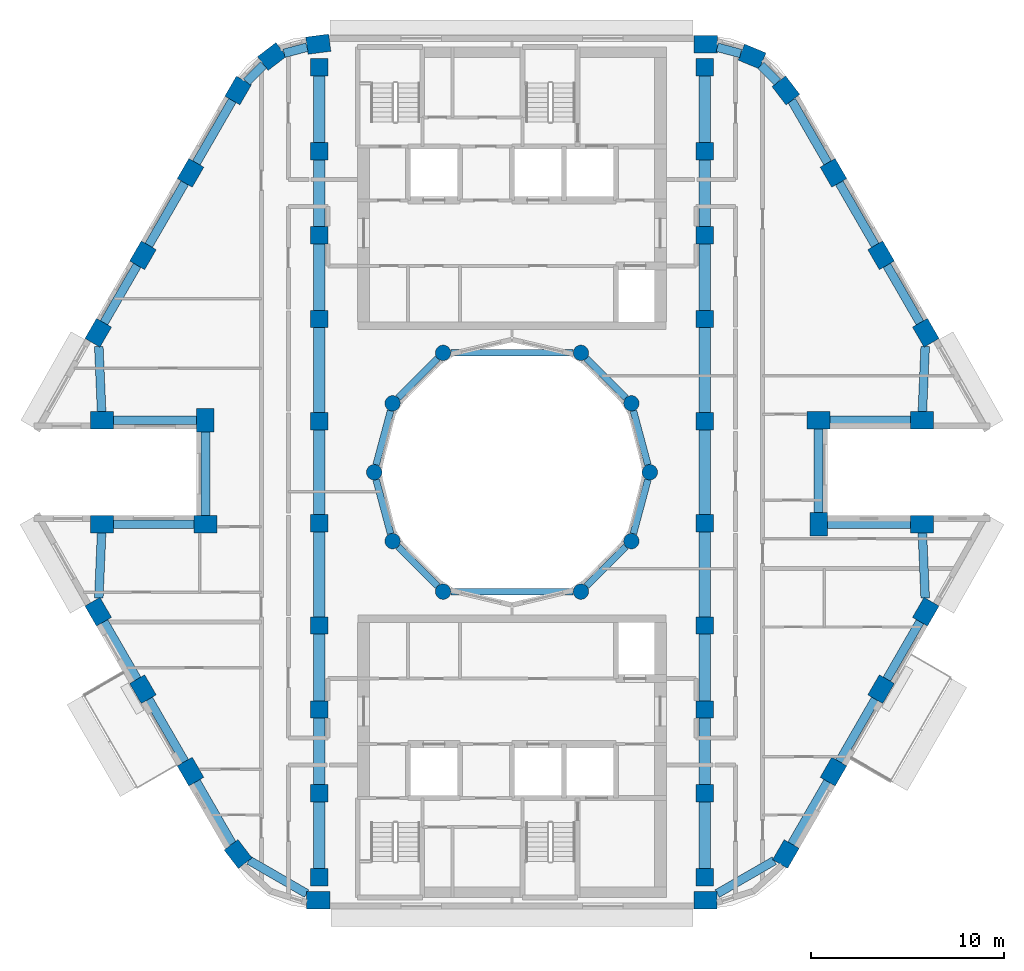
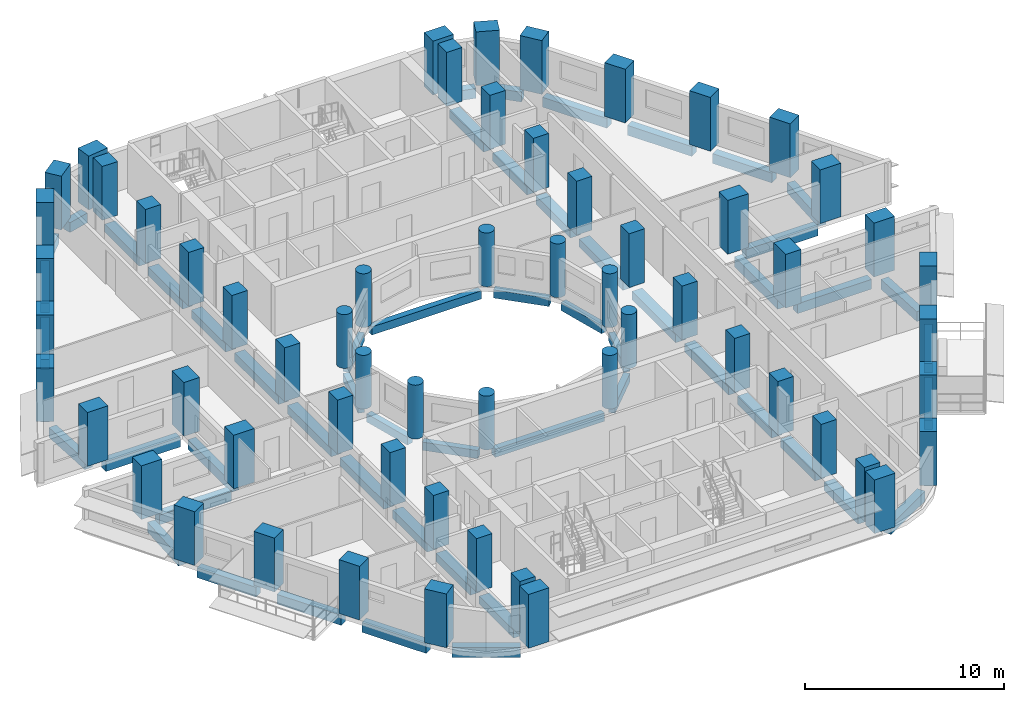
# One storey, part 1 of 15: 60 columns, 56 beams.
"""IFC4 building model written with IfcOpenShell, lengths in metres."""

from ifc_helpers import new_model, si_unit, direction, frame, origin, origin_2d, place, context, subcontext, project, spatial, rectangle, circle, extrude, material, material_profile, profile_set, type_object, element, save


model = new_model("IFC4")

# Units and contexts
model_context = context("Model", 3, precision=1e-05, world=origin(), true_north=direction((0.0, 1.0)))
body_context = subcontext(model_context, "Body", "Model", "MODEL_VIEW")
ifc_project = project(units=[si_unit("LENGTHUNIT", "METRE"), si_unit("AREAUNIT", "SQUARE_METRE"), si_unit("VOLUMEUNIT", "CUBIC_METRE"), si_unit("PLANEANGLEUNIT", "RADIAN"), si_unit("MASSUNIT", "GRAM", prefix="KILO")], contexts=[model_context])

# Site, building, storey
site_placement = place(None, origin())
site = spatial("IfcSite", under=ifc_project, at=site_placement, CompositionType="ELEMENT")
building_placement = place(site_placement, origin())
building = spatial("IfcBuilding", under=site, at=building_placement, Name="Nakaniwa Court", CompositionType="ELEMENT")
storey_placement = place(building_placement, frame((0.0, 0.0, 186.60009765625)))
storey = spatial("IfcBuildingStorey", under=building, at=storey_placement, Name="L48", CompositionType="ELEMENT", Elevation=186.60009765625)

# Columns
ifc_material = material(Name="Concrete C80/100", Category="concrete")
ifc_material_profile_1 = material_profile(ifc_material, rectangle(XDim=1.199951171875, YDim=0.89990234375, at=origin_2d()), Name="Concrete C80/100 RC 1200x900 perimeter column")
ifc_profile_set_1 = profile_set([ifc_material_profile_1], Name="Concrete C80/100")
column_type_1 = type_object("IfcColumnType", Name="Concrete C80/100 RC 1200x900 perimeter column", PredefinedType="COLUMN", material=ifc_profile_set_1)
for number, where, z_axis, x_axis, name in (
    (1, (69.95458984375, 102.199951171875, 0.0), (0.0, 0.0, 1.0), (-0.991442583111, -0.130543496177, 0.0), "COLUMN CO-01"),
    (2, (67.552001953125, 101.560302734375, 0.0), (0.0, 0.0, 1.0), (-0.793363965062, -0.608747582288, 0.0), "COLUMN CO-02"),
    (3, (65.796875, 99.799560546875, 0.0), (0.0, 0.0, 1.0), (-0.5, -0.866025403784, 0.0), "COLUMN CO-03"),
    (4, (63.328857421875, 95.524658203125, 0.0), (0.0, 0.0, 1.0), (-0.5, -0.866025403784, 0.0), "COLUMN CO-04"),
    (5, (60.860595703125, 91.249755859375, 0.0), (0.0, 0.0, 1.0), (-0.5, -0.866025403784, 0.0), "COLUMN CO-05"),
    (6, (58.541015625, 87.232177734375, 0.0), (0.0, 0.0, 1.0), (-0.5, -0.866025403784, 0.0), "COLUMN CO-06"),
    (7, (58.736083984375, 82.699951171875, 0.0), (0.0, 0.0, 1.0), (1.0, 0.0, 0.0), "COLUMN CO-08"),
    (8, (64.1005859375, 82.699951171875, 0.0), (0.0, 0.0, 1.0), (0.0, -1.0, 0.0), "COLUMN CO-09"),
    (9, (64.1005859375, 77.300048828125, 0.0), (0.0, 0.0, 1.0), (-1.0, 0.0, 0.0), "COLUMN CO-10"),
    (10, (58.736083984375, 77.300048828125, 0.0), (0.0, 0.0, 1.0), (-1.0, 0.0, 0.0), "COLUMN CO-11"),
    (11, (58.541015625, 72.767822265625, 0.0), (0.0, 0.0, 1.0), (0.5, -0.866025403784, 0.0), "COLUMN CO-13"),
    (12, (60.860595703125, 68.750244140625, 0.0), (0.0, 0.0, 1.0), (0.5, -0.866025403784, 0.0), "COLUMN CO-14"),
    (13, (63.328857421875, 64.475341796875, 0.0), (0.0, 0.0, 1.0), (0.5, -0.866025403784, 0.0), "COLUMN CO-15"),
    (14, (65.796875, 60.200439453125, 0.0), (0.0, 0.0, 1.0), (0.608761429009, -0.793353340291, 0.0), "COLUMN CO-16"),
    (15, (69.95458984375, 57.800048828125, 0.0), (0.0, 0.0, 1.0), (1.0, 0.0, 0.0), "COLUMN CO-17"),
    (16, (90.03955078125, 57.800048828125, 0.0), (0.0, 0.0, 1.0), (1.0, 0.0, 0.0), "COLUMN CO-21"),
    (17, (94.203125, 60.200439453125, 0.0), (0.0, 0.0, 1.0), (0.5, 0.866025403784, 0.0), "COLUMN CO-22"),
    (18, (96.671142578125, 64.475341796875, 0.0), (0.0, 0.0, 1.0), (0.5, 0.866025403784, 0.0), "COLUMN CO-23"),
    (19, (99.139404296875, 68.750244140625, 0.0), (0.0, 0.0, 1.0), (0.5, 0.866025403784, 0.0), "COLUMN CO-24"),
    (20, (101.458984375, 72.767822265625, 0.0), (0.0, 0.0, 1.0), (0.5, 0.866025403784, 0.0), "COLUMN CO-25"),
    (21, (101.263916015625, 77.300048828125, 0.0), (0.0, 0.0, 1.0), (-1.0, 0.0, 0.0), "COLUMN CO-27"),
    (22, (95.8994140625, 77.300048828125, 0.0), (0.0, 0.0, 1.0), (0.0, 1.0, 0.0), "COLUMN CO-28"),
    (23, (95.8994140625, 82.699951171875, 0.0), (0.0, 0.0, 1.0), (1.0, 0.0, 0.0), "COLUMN CO-29"),
    (24, (101.263916015625, 82.699951171875, 0.0), (0.0, 0.0, 1.0), (1.0, 0.0, 0.0), "COLUMN CO-30"),
    (25, (101.458984375, 87.232177734375, 0.0), (0.0, 0.0, 1.0), (-0.5, 0.866025403784, 0.0), "COLUMN CO-32"),
    (26, (99.139404296875, 91.249755859375, 0.0), (0.0, 0.0, 1.0), (-0.5, 0.866025403784, 0.0), "COLUMN CO-33"),
    (27, (96.671142578125, 95.524658203125, 0.0), (0.0, 0.0, 1.0), (-0.5, 0.866025403784, 0.0), "COLUMN CO-34"),
    (28, (94.203125, 99.799560546875, 0.0), (0.0, 0.0, 1.0), (-0.608761429009, 0.793353340291, 0.0), "COLUMN CO-35"),
    (29, (92.447998046875, 101.560302734375, 0.0), (0.0, 0.0, 1.0), (-0.923879532511, 0.382683432365, 0.0), "COLUMN CO-36"),
    (30, (90.04541015625, 102.199951171875, 0.0), (0.0, 0.0, 1.0), (-1.0, 0.0, 0.0), "COLUMN CO-37"),
):
    element("IfcColumn", number, at=place(storey_placement, frame(where, z_axis=z_axis, x_axis=x_axis)), inside=storey, type_object=column_type_1, Name=name, PredefinedType="COLUMN", context=body_context, shape_type="SweptSolid", body=[
        extrude(rectangle(XDim=1.199951171875, YDim=0.89990234375, at=origin_2d()), origin(), (0.0, 0.0, 1.0), 3.2998046875),
    ])
ifc_material_profile_2 = material_profile(ifc_material, rectangle(XDim=0.89990234375, YDim=0.89990234375, at=origin_2d()), Name="Concrete C80/100 RC 900x900 spine column")
ifc_profile_set_2 = profile_set([ifc_material_profile_2], Name="Concrete C80/100")
column_type_2 = type_object("IfcColumnType", Name="Concrete C80/100 RC 900x900 spine column", PredefinedType="COLUMN", material=ifc_profile_set_2)
for number, where, z_axis, x_axis, name in (
    (31, (90.0, 59.0, 0.0), (0.0, 0.0, 1.0), (0.0, 1.0, 0.0), "COLUMN CS-01"),
    (32, (90.0, 63.35009765625, 0.0), (0.0, 0.0, 1.0), (0.0, 1.0, 0.0), "COLUMN CS-02"),
    (33, (90.0, 67.699951171875, 0.0), (0.0, 0.0, 1.0), (0.0, 1.0, 0.0), "COLUMN CS-03"),
    (34, (90.0, 72.050048828125, 0.0), (0.0, 0.0, 1.0), (0.0, 1.0, 0.0), "COLUMN CS-04"),
    (35, (90.0, 77.35009765625, 0.0), (0.0, 0.0, 1.0), (0.0, 1.0, 0.0), "COLUMN CS-05"),
    (36, (90.0, 82.64990234375, 0.0), (0.0, 0.0, 1.0), (0.0, 1.0, 0.0), "COLUMN CS-06"),
    (37, (90.0, 87.949951171875, 0.0), (0.0, 0.0, 1.0), (0.0, 1.0, 0.0), "COLUMN CS-07"),
    (38, (90.0, 92.300048828125, 0.0), (0.0, 0.0, 1.0), (0.0, 1.0, 0.0), "COLUMN CS-08"),
    (39, (90.0, 96.64990234375, 0.0), (0.0, 0.0, 1.0), (0.0, 1.0, 0.0), "COLUMN CS-09"),
    (40, (90.0, 101.0, 0.0), (0.0, 0.0, 1.0), (0.0, 1.0, 0.0), "COLUMN CS-10"),
    (41, (70.0, 101.0, 0.0), (0.0, 0.0, 1.0), (0.0, -1.0, 0.0), "COLUMN CS-11"),
    (42, (70.0, 96.64990234375, 0.0), (0.0, 0.0, 1.0), (0.0, -1.0, 0.0), "COLUMN CS-12"),
    (43, (70.0, 92.300048828125, 0.0), (0.0, 0.0, 1.0), (0.0, -1.0, 0.0), "COLUMN CS-13"),
    (44, (70.0, 87.949951171875, 0.0), (0.0, 0.0, 1.0), (0.0, -1.0, 0.0), "COLUMN CS-14"),
    (45, (70.0, 82.64990234375, 0.0), (0.0, 0.0, 1.0), (0.0, -1.0, 0.0), "COLUMN CS-15"),
    (46, (70.0, 77.35009765625, 0.0), (0.0, 0.0, 1.0), (0.0, -1.0, 0.0), "COLUMN CS-16"),
    (47, (70.0, 72.050048828125, 0.0), (0.0, 0.0, 1.0), (0.0, -1.0, 0.0), "COLUMN CS-17"),
    (48, (70.0, 67.699951171875, 0.0), (0.0, 0.0, 1.0), (0.0, -1.0, 0.0), "COLUMN CS-18"),
    (49, (70.0, 63.35009765625, 0.0), (0.0, 0.0, 1.0), (0.0, -1.0, 0.0), "COLUMN CS-19"),
    (50, (70.0, 59.0, 0.0), (0.0, 0.0, 1.0), (0.0, -1.0, 0.0), "COLUMN CS-20"),
):
    element("IfcColumn", number, at=place(storey_placement, frame(where, z_axis=z_axis, x_axis=x_axis)), inside=storey, type_object=column_type_2, Name=name, PredefinedType="COLUMN", context=body_context, shape_type="SweptSolid", body=[
        extrude(rectangle(XDim=0.89990234375, YDim=0.89990234375, at=origin_2d()), origin(), (0.0, 0.0, 1.0), 3.2998046875),
    ])
ifc_material_profile_3 = material_profile(ifc_material, circle(Radius=0.39990234375, at=origin_2d()), Name="Concrete C80/100 RC D800 inner ring column")
ifc_profile_set_3 = profile_set([ifc_material_profile_3], Name="Concrete C80/100")
column_type_3 = type_object("IfcColumnType", Name="Concrete C80/100 RC D800 inner ring column", PredefinedType="COLUMN", material=ifc_profile_set_3)
for number, where, z_axis, x_axis, name in (
    (51, (87.14990234375, 80.0, 0.0), (0.0, 0.0, 1.0), (0.0, 1.0, 0.0), "COLUMN CI-01"),
    (52, (86.192138671875, 83.574951171875, 0.0), (0.0, 0.0, 1.0), (-0.5, 0.866025403784, 0.0), "COLUMN CI-02"),
    (53, (83.574951171875, 86.192138671875, 0.0), (0.0, 0.0, 1.0), (-0.866025403784, 0.5, 0.0), "COLUMN CI-03"),
    (54, (76.425048828125, 86.192138671875, 0.0), (0.0, 0.0, 1.0), (-0.866025403784, -0.5, 0.0), "COLUMN CI-05"),
    (55, (73.807861328125, 83.574951171875, 0.0), (0.0, 0.0, 1.0), (-0.5, -0.866025403784, 0.0), "COLUMN CI-06"),
    (56, (72.85009765625, 80.0, 0.0), (0.0, 0.0, 1.0), (0.0, -1.0, 0.0), "COLUMN CI-07"),
    (57, (73.807861328125, 76.425048828125, 0.0), (0.0, 0.0, 1.0), (0.5, -0.866025403784, 0.0), "COLUMN CI-08"),
    (58, (76.425048828125, 73.807861328125, 0.0), (0.0, 0.0, 1.0), (0.866025403784, -0.5, 0.0), "COLUMN CI-09"),
    (59, (83.574951171875, 73.807861328125, 0.0), (0.0, 0.0, 1.0), (0.866025403784, 0.5, 0.0), "COLUMN CI-11"),
    (60, (86.192138671875, 76.425048828125, 0.0), (0.0, 0.0, 1.0), (0.5, 0.866025403784, 0.0), "COLUMN CI-12"),
):
    element("IfcColumn", number, at=place(storey_placement, frame(where, z_axis=z_axis, x_axis=x_axis)), inside=storey, type_object=column_type_3, Name=name, PredefinedType="COLUMN", context=body_context, shape_type="SweptSolid", body=[
        extrude(circle(Radius=0.39990234375, at=origin_2d()), origin(), (0.0, 0.0, 1.0), 3.2998046875),
    ])

# Beams
ifc_material_profile_4 = material_profile(ifc_material, rectangle(XDim=0.35009765625, YDim=0.5, at=origin_2d()), Name="Concrete C80/100 RC 350x500 ring beam")
ifc_profile_set_4 = profile_set([ifc_material_profile_4], Name="Concrete C80/100")
beam_type_1 = type_object("IfcBeamType", Name="Concrete C80/100 RC 350x500 ring beam", PredefinedType="BEAM", material=ifc_profile_set_4)
beam_1_placement = place(storey_placement, frame((87.04638671875, 80.386474609375, -0.525146484375), z_axis=(-0.258778150207, 0.965936783115, 0.0), x_axis=(-0.965936783115, -0.258778150207, 0.0)))
element("IfcBeam", 61, at=beam_1_placement, inside=storey, type_object=beam_type_1, Name="RING BEAM", PredefinedType="BEAM", context=body_context, shape_type="SweptSolid", body=[
    extrude(rectangle(XDim=0.35009765625, YDim=0.5, at=origin_2d()), origin(), (0.0, 0.0, 1.0), 2.901123046875),
])
beam_2_placement = place(storey_placement, frame((85.9091796875, 83.85791015625, -0.525146484375), z_axis=(-0.707106781187, 0.707106781187, 0.0), x_axis=(-0.707106781187, -0.707106781187, 0.0)))
element("IfcBeam", 62, at=beam_2_placement, inside=storey, type_object=beam_type_1, Name="RING BEAM", PredefinedType="BEAM", context=body_context, shape_type="SweptSolid", body=[
    extrude(rectangle(XDim=0.35009765625, YDim=0.5, at=origin_2d()), origin(), (0.0, 0.0, 1.0), 2.90087890625),
])
beam_3_placement = place(storey_placement, frame((83.175048828125, 86.192138671875, -0.525146484375), z_axis=(-1.0, 0.0, 0.0), x_axis=(0.0, -1.0, 0.0)))
element("IfcBeam", 63, at=beam_3_placement, inside=storey, type_object=beam_type_1, Name="RING BEAM", PredefinedType="BEAM", context=body_context, shape_type="SweptSolid", body=[
    extrude(rectangle(XDim=0.35009765625, YDim=0.5, at=origin_2d()), origin(), (0.0, 0.0, 1.0), 6.35009765625),
])
beam_4_placement = place(storey_placement, frame((76.14208984375, 85.9091796875, -0.525146484375), z_axis=(-0.707106781187, -0.707106781187, 0.0), x_axis=(0.707106781187, -0.707106781187, 0.0)))
element("IfcBeam", 64, at=beam_4_placement, inside=storey, type_object=beam_type_1, Name="RING BEAM", PredefinedType="BEAM", context=body_context, shape_type="SweptSolid", body=[
    extrude(rectangle(XDim=0.35009765625, YDim=0.5, at=origin_2d()), origin(), (0.0, 0.0, 1.0), 2.90087890625),
])
for number, where, z_axis, x_axis, name in (
    (65, (73.704345703125, 83.188720703125, -0.525146484375), (-0.258778150207, -0.965936783115, 0.0), (0.965936783115, -0.258778150207, 0.0), "RING BEAM"),
    (66, (72.95361328125, 79.613525390625, -0.525146484375), (0.258778150207, -0.965936783115, 0.0), (0.965936783115, 0.258778150207, 0.0), "RING BEAM"),
):
    element("IfcBeam", number, at=place(storey_placement, frame(where, z_axis=z_axis, x_axis=x_axis)), inside=storey, type_object=beam_type_1, Name=name, PredefinedType="BEAM", context=body_context, shape_type="SweptSolid", body=[
        extrude(rectangle(XDim=0.35009765625, YDim=0.5, at=origin_2d()), origin(), (0.0, 0.0, 1.0), 2.901123046875),
    ])
beam_5_placement = place(storey_placement, frame((74.0908203125, 76.14208984375, -0.525146484375), z_axis=(0.707106781187, -0.707106781187, 0.0), x_axis=(0.707106781187, 0.707106781187, 0.0)))
element("IfcBeam", 67, at=beam_5_placement, inside=storey, type_object=beam_type_1, Name="RING BEAM", PredefinedType="BEAM", context=body_context, shape_type="SweptSolid", body=[
    extrude(rectangle(XDim=0.35009765625, YDim=0.5, at=origin_2d()), origin(), (0.0, 0.0, 1.0), 2.90087890625),
])
beam_6_placement = place(storey_placement, frame((76.824951171875, 73.807861328125, -0.525146484375), z_axis=(1.0, 0.0, 0.0), x_axis=(0.0, 1.0, 0.0)))
element("IfcBeam", 68, at=beam_6_placement, inside=storey, type_object=beam_type_1, Name="RING BEAM", PredefinedType="BEAM", context=body_context, shape_type="SweptSolid", body=[
    extrude(rectangle(XDim=0.35009765625, YDim=0.5, at=origin_2d()), origin(), (0.0, 0.0, 1.0), 6.35009765625),
])
beam_7_placement = place(storey_placement, frame((83.85791015625, 74.0908203125, -0.525146484375), z_axis=(0.707106781187, 0.707106781187, 0.0), x_axis=(-0.707106781187, 0.707106781187, 0.0)))
element("IfcBeam", 69, at=beam_7_placement, inside=storey, type_object=beam_type_1, Name="RING BEAM", PredefinedType="BEAM", context=body_context, shape_type="SweptSolid", body=[
    extrude(rectangle(XDim=0.35009765625, YDim=0.5, at=origin_2d()), origin(), (0.0, 0.0, 1.0), 2.90087890625),
])
beam_8_placement = place(storey_placement, frame((86.295654296875, 76.811279296875, -0.525146484375), z_axis=(0.258778150207, 0.965936783115, 0.0), x_axis=(-0.965936783115, 0.258778150207, 0.0)))
element("IfcBeam", 70, at=beam_8_placement, inside=storey, type_object=beam_type_1, Name="RING BEAM", PredefinedType="BEAM", context=body_context, shape_type="SweptSolid", body=[
    extrude(rectangle(XDim=0.35009765625, YDim=0.5, at=origin_2d()), origin(), (0.0, 0.0, 1.0), 2.901123046875),
])
ifc_material_profile_5 = material_profile(ifc_material, rectangle(XDim=0.449951171875, YDim=0.60009765625, at=origin_2d()), Name="Concrete C80/100 RC 450x600 spandrel beam")
ifc_profile_set_5 = profile_set([ifc_material_profile_5], Name="Concrete C80/100")
beam_type_2 = type_object("IfcBeamType", Name="Concrete C80/100 RC 450x600 spandrel beam", PredefinedType="BEAM", material=ifc_profile_set_5)
beam_9_placement = place(storey_placement, frame((69.3701171875, 102.044189453125, -0.5751953125), z_axis=(-0.966320442624, -0.257341800272, 0.0), x_axis=(0.257341800272, -0.966320442624, 0.0)))
element("IfcBeam", 71, at=beam_9_placement, inside=storey, type_object=beam_type_2, Name="SPANDREL BEAM", PredefinedType="BEAM", context=body_context, shape_type="SweptSolid", body=[
    extrude(rectangle(XDim=0.449951171875, YDim=0.60009765625, at=origin_2d()), origin(), (0.0, 0.0, 1.0), 1.2314453125),
])
beam_10_placement = place(storey_placement, frame((67.124755859375, 101.131591796875, -0.5751953125), z_axis=(-0.705943141011, -0.708268509578, 0.0), x_axis=(0.708268509578, -0.705943141011, 0.0)))
element("IfcBeam", 72, at=beam_10_placement, inside=storey, type_object=beam_type_2, Name="SPANDREL BEAM", PredefinedType="BEAM", context=body_context, shape_type="SweptSolid", body=[
    extrude(rectangle(XDim=0.449951171875, YDim=0.60009765625, at=origin_2d()), origin(), (0.0, 0.0, 1.0), 1.259765625),
])
for number, where, z_axis, x_axis, name in (
    (73, (65.496826171875, 99.27978515625, -0.5751953125), (-0.499969460568, -0.866043035016, 0.0), (0.866043035016, -0.499969460568, 0.0), "SPANDREL BEAM"),
    (74, (63.02880859375, 95.0048828125, -0.5751953125), (-0.500018470369, -0.866014739649, 0.0), (0.866014739649, -0.500018470369, 0.0), "SPANDREL BEAM"),
):
    element("IfcBeam", number, at=place(storey_placement, frame(where, z_axis=z_axis, x_axis=x_axis)), inside=storey, type_object=beam_type_2, Name=name, PredefinedType="BEAM", context=body_context, shape_type="SweptSolid", body=[
        extrude(rectangle(XDim=0.449951171875, YDim=0.60009765625, at=origin_2d()), origin(), (0.0, 0.0, 1.0), 3.736083984375),
    ])
beam_11_placement = place(storey_placement, frame((60.560791015625, 90.72998046875, -0.5751953125), z_axis=(-0.500048133448, -0.865997612142, 0.0), x_axis=(0.865997612142, -0.500048133448, 0.0)))
element("IfcBeam", 75, at=beam_11_placement, inside=storey, type_object=beam_type_2, Name="SPANDREL BEAM", PredefinedType="BEAM", context=body_context, shape_type="SweptSolid", body=[
    extrude(rectangle(XDim=0.449951171875, YDim=0.60009765625, at=origin_2d()), origin(), (0.0, 0.0, 1.0), 3.439208984375),
])
beam_12_placement = place(storey_placement, frame((58.57177734375, 86.521728515625, -0.5751953125), z_axis=(0.042897265713, -0.999079488627, 0.0), x_axis=(0.999079488627, 0.042897265713, 0.0)))
element("IfcBeam", 76, at=beam_12_placement, inside=storey, type_object=beam_type_2, Name="SPANDREL BEAM", PredefinedType="BEAM", context=body_context, shape_type="SweptSolid", body=[
    extrude(rectangle(XDim=0.449951171875, YDim=0.60009765625, at=origin_2d()), origin(), (0.0, 0.0, 1.0), 3.375),
])
beam_13_placement = place(storey_placement, frame((59.3359375, 82.699951171875, -0.5751953125), z_axis=(1.0, 0.0, 0.0), x_axis=(0.0, 1.0, 0.0)))
element("IfcBeam", 77, at=beam_13_placement, inside=storey, type_object=beam_type_2, Name="SPANDREL BEAM", PredefinedType="BEAM", context=body_context, shape_type="SweptSolid", body=[
    extrude(rectangle(XDim=0.449951171875, YDim=0.60009765625, at=origin_2d()), origin(), (0.0, 0.0, 1.0), 4.314453125),
])
beam_14_placement = place(storey_placement, frame((64.1005859375, 82.10009765625, -0.5751953125), z_axis=(0.0, -1.0, 0.0), x_axis=(1.0, 0.0, 0.0)))
element("IfcBeam", 78, at=beam_14_placement, inside=storey, type_object=beam_type_2, Name="SPANDREL BEAM", PredefinedType="BEAM", context=body_context, shape_type="SweptSolid", body=[
    extrude(rectangle(XDim=0.449951171875, YDim=0.60009765625, at=origin_2d()), origin(), (0.0, 0.0, 1.0), 4.35009765625),
])
beam_15_placement = place(storey_placement, frame((63.50048828125, 77.300048828125, -0.5751953125), z_axis=(-1.0, 0.0, 0.0), x_axis=(0.0, -1.0, 0.0)))
element("IfcBeam", 79, at=beam_15_placement, inside=storey, type_object=beam_type_2, Name="SPANDREL BEAM", PredefinedType="BEAM", context=body_context, shape_type="SweptSolid", body=[
    extrude(rectangle(XDim=0.449951171875, YDim=0.60009765625, at=origin_2d()), origin(), (0.0, 0.0, 1.0), 4.16455078125),
])
beam_16_placement = place(storey_placement, frame((58.716552734375, 76.85009765625, -0.5751953125), z_axis=(-0.042897265713, -0.999079488627, 0.0), x_axis=(0.999079488627, -0.042897265713, 0.0)))
element("IfcBeam", 80, at=beam_16_placement, inside=storey, type_object=beam_type_2, Name="SPANDREL BEAM", PredefinedType="BEAM", context=body_context, shape_type="SweptSolid", body=[
    extrude(rectangle(XDim=0.449951171875, YDim=0.60009765625, at=origin_2d()), origin(), (0.0, 0.0, 1.0), 3.375),
])
beam_17_placement = place(storey_placement, frame((58.841064453125, 72.248291015625, -0.5751953125), z_axis=(0.500048133448, -0.865997612142, 0.0), x_axis=(0.865997612142, 0.500048133448, 0.0)))
element("IfcBeam", 81, at=beam_17_placement, inside=storey, type_object=beam_type_2, Name="SPANDREL BEAM", PredefinedType="BEAM", context=body_context, shape_type="SweptSolid", body=[
    extrude(rectangle(XDim=0.449951171875, YDim=0.60009765625, at=origin_2d()), origin(), (0.0, 0.0, 1.0), 3.439208984375),
])
beam_18_placement = place(storey_placement, frame((61.16064453125, 68.230712890625, -0.5751953125), z_axis=(0.500018470369, -0.866014739649, 0.0), x_axis=(0.866014739649, 0.500018470369, 0.0)))
element("IfcBeam", 82, at=beam_18_placement, inside=storey, type_object=beam_type_2, Name="SPANDREL BEAM", PredefinedType="BEAM", context=body_context, shape_type="SweptSolid", body=[
    extrude(rectangle(XDim=0.449951171875, YDim=0.60009765625, at=origin_2d()), origin(), (0.0, 0.0, 1.0), 3.736083984375),
])
beam_19_placement = place(storey_placement, frame((63.62890625, 63.955810546875, -0.5751953125), z_axis=(0.499988672538, -0.866031943599, 0.0), x_axis=(0.866031943599, 0.499988672538, 0.0)))
element("IfcBeam", 83, at=beam_19_placement, inside=storey, type_object=beam_type_2, Name="SPANDREL BEAM", PredefinedType="BEAM", context=body_context, shape_type="SweptSolid", body=[
    extrude(rectangle(XDim=0.449951171875, YDim=0.60009765625, at=origin_2d()), origin(), (0.0, 0.0, 1.0), 3.73095703125),
])
beam_20_placement = place(storey_placement, frame((66.359375, 59.875732421875, -0.5751953125), z_axis=(0.866041005548, -0.49997297598, 0.0), x_axis=(0.49997297598, 0.866041005548, 0.0)))
element("IfcBeam", 84, at=beam_20_placement, inside=storey, type_object=beam_type_2, Name="SPANDREL BEAM", PredefinedType="BEAM", context=body_context, shape_type="SweptSolid", body=[
    extrude(rectangle(XDim=0.449951171875, YDim=0.60009765625, at=origin_2d()), origin(), (0.0, 0.0, 1.0), 3.458740234375),
])
beam_21_placement = place(storey_placement, frame((90.639404296875, 58.14599609375, -0.5751953125), z_axis=(0.866361397704, 0.499417589367, 0.0), x_axis=(-0.499417589367, 0.866361397704, 0.0)))
element("IfcBeam", 85, at=beam_21_placement, inside=storey, type_object=beam_type_2, Name="SPANDREL BEAM", PredefinedType="BEAM", context=body_context, shape_type="SweptSolid", body=[
    extrude(rectangle(XDim=0.449951171875, YDim=0.60009765625, at=origin_2d()), origin(), (0.0, 0.0, 1.0), 3.42041015625),
])
for number, where, z_axis, x_axis, name in (
    (86, (94.503173828125, 60.72021484375, -0.5751953125), (0.499969460568, 0.866043035016, 0.0), (-0.866043035016, 0.499969460568, 0.0), "SPANDREL BEAM"),
    (87, (96.97119140625, 64.9951171875, -0.5751953125), (0.500018470369, 0.866014739649, 0.0), (-0.866014739649, 0.500018470369, 0.0), "SPANDREL BEAM"),
):
    element("IfcBeam", number, at=place(storey_placement, frame(where, z_axis=z_axis, x_axis=x_axis)), inside=storey, type_object=beam_type_2, Name=name, PredefinedType="BEAM", context=body_context, shape_type="SweptSolid", body=[
        extrude(rectangle(XDim=0.449951171875, YDim=0.60009765625, at=origin_2d()), origin(), (0.0, 0.0, 1.0), 3.736083984375),
    ])
beam_22_placement = place(storey_placement, frame((99.439208984375, 69.27001953125, -0.5751953125), z_axis=(0.500048133448, 0.865997612142, 0.0), x_axis=(-0.865997612142, 0.500048133448, 0.0)))
element("IfcBeam", 88, at=beam_22_placement, inside=storey, type_object=beam_type_2, Name="SPANDREL BEAM", PredefinedType="BEAM", context=body_context, shape_type="SweptSolid", body=[
    extrude(rectangle(XDim=0.449951171875, YDim=0.60009765625, at=origin_2d()), origin(), (0.0, 0.0, 1.0), 3.439208984375),
])
beam_23_placement = place(storey_placement, frame((101.42822265625, 73.478271484375, -0.5751953125), z_axis=(-0.042897265713, 0.999079488627, 0.0), x_axis=(-0.999079488627, -0.042897265713, 0.0)))
element("IfcBeam", 89, at=beam_23_placement, inside=storey, type_object=beam_type_2, Name="SPANDREL BEAM", PredefinedType="BEAM", context=body_context, shape_type="SweptSolid", body=[
    extrude(rectangle(XDim=0.449951171875, YDim=0.60009765625, at=origin_2d()), origin(), (0.0, 0.0, 1.0), 3.375),
])
beam_24_placement = place(storey_placement, frame((100.6640625, 77.300048828125, -0.5751953125), z_axis=(-1.0, 0.0, 0.0), x_axis=(0.0, -1.0, 0.0)))
element("IfcBeam", 90, at=beam_24_placement, inside=storey, type_object=beam_type_2, Name="SPANDREL BEAM", PredefinedType="BEAM", context=body_context, shape_type="SweptSolid", body=[
    extrude(rectangle(XDim=0.449951171875, YDim=0.60009765625, at=origin_2d()), origin(), (0.0, 0.0, 1.0), 4.314453125),
])
beam_25_placement = place(storey_placement, frame((95.8994140625, 77.89990234375, -0.5751953125), z_axis=(0.0, 1.0, 0.0), x_axis=(-1.0, 0.0, 0.0)))
element("IfcBeam", 91, at=beam_25_placement, inside=storey, type_object=beam_type_2, Name="SPANDREL BEAM", PredefinedType="BEAM", context=body_context, shape_type="SweptSolid", body=[
    extrude(rectangle(XDim=0.449951171875, YDim=0.60009765625, at=origin_2d()), origin(), (0.0, 0.0, 1.0), 4.35009765625),
])
beam_26_placement = place(storey_placement, frame((96.49951171875, 82.699951171875, -0.5751953125), z_axis=(1.0, 0.0, 0.0), x_axis=(0.0, 1.0, 0.0)))
element("IfcBeam", 92, at=beam_26_placement, inside=storey, type_object=beam_type_2, Name="SPANDREL BEAM", PredefinedType="BEAM", context=body_context, shape_type="SweptSolid", body=[
    extrude(rectangle(XDim=0.449951171875, YDim=0.60009765625, at=origin_2d()), origin(), (0.0, 0.0, 1.0), 4.16455078125),
])
beam_27_placement = place(storey_placement, frame((101.283447265625, 83.14990234375, -0.5751953125), z_axis=(0.042897265713, 0.999079488627, 0.0), x_axis=(-0.999079488627, 0.042897265713, 0.0)))
element("IfcBeam", 93, at=beam_27_placement, inside=storey, type_object=beam_type_2, Name="SPANDREL BEAM", PredefinedType="BEAM", context=body_context, shape_type="SweptSolid", body=[
    extrude(rectangle(XDim=0.449951171875, YDim=0.60009765625, at=origin_2d()), origin(), (0.0, 0.0, 1.0), 3.375),
])
beam_28_placement = place(storey_placement, frame((101.158935546875, 87.751708984375, -0.5751953125), z_axis=(-0.500048133448, 0.865997612142, 0.0), x_axis=(-0.865997612142, -0.500048133448, 0.0)))
element("IfcBeam", 94, at=beam_28_placement, inside=storey, type_object=beam_type_2, Name="SPANDREL BEAM", PredefinedType="BEAM", context=body_context, shape_type="SweptSolid", body=[
    extrude(rectangle(XDim=0.449951171875, YDim=0.60009765625, at=origin_2d()), origin(), (0.0, 0.0, 1.0), 3.439208984375),
])
beam_29_placement = place(storey_placement, frame((98.83935546875, 91.769287109375, -0.5751953125), z_axis=(-0.500018470369, 0.866014739649, 0.0), x_axis=(-0.866014739649, -0.500018470369, 0.0)))
element("IfcBeam", 95, at=beam_29_placement, inside=storey, type_object=beam_type_2, Name="SPANDREL BEAM", PredefinedType="BEAM", context=body_context, shape_type="SweptSolid", body=[
    extrude(rectangle(XDim=0.449951171875, YDim=0.60009765625, at=origin_2d()), origin(), (0.0, 0.0, 1.0), 3.736083984375),
])
beam_30_placement = place(storey_placement, frame((96.37109375, 96.044189453125, -0.5751953125), z_axis=(-0.499988672538, 0.866031943599, 0.0), x_axis=(-0.866031943599, -0.499988672538, 0.0)))
element("IfcBeam", 96, at=beam_30_placement, inside=storey, type_object=beam_type_2, Name="SPANDREL BEAM", PredefinedType="BEAM", context=body_context, shape_type="SweptSolid", body=[
    extrude(rectangle(XDim=0.449951171875, YDim=0.60009765625, at=origin_2d()), origin(), (0.0, 0.0, 1.0), 3.73095703125),
])
beam_31_placement = place(storey_placement, frame((93.77587890625, 100.22802734375, -0.5751953125), z_axis=(-0.705916034154, 0.708295526404, 0.0), x_axis=(-0.708295526404, -0.705916034154, 0.0)))
element("IfcBeam", 97, at=beam_31_placement, inside=storey, type_object=beam_type_2, Name="SPANDREL BEAM", PredefinedType="BEAM", context=body_context, shape_type="SweptSolid", body=[
    extrude(rectangle(XDim=0.449951171875, YDim=0.60009765625, at=origin_2d()), origin(), (0.0, 0.0, 1.0), 1.231201171875),
])
beam_32_placement = place(storey_placement, frame((91.863037109375, 101.716064453125, -0.5751953125), z_axis=(-0.966337757832, 0.257276772735, 0.0), x_axis=(-0.257276772735, -0.966337757832, 0.0)))
element("IfcBeam", 98, at=beam_32_placement, inside=storey, type_object=beam_type_2, Name="SPANDREL BEAM", PredefinedType="BEAM", context=body_context, shape_type="SweptSolid", body=[
    extrude(rectangle(XDim=0.449951171875, YDim=0.60009765625, at=origin_2d()), origin(), (0.0, 0.0, 1.0), 1.26025390625),
])
ifc_material_profile_6 = material_profile(ifc_material, rectangle(XDim=0.60009765625, YDim=0.5, at=origin_2d()), Name="Concrete C80/100 RC 600x500 ring beam")
ifc_profile_set_6 = profile_set([ifc_material_profile_6], Name="Concrete C80/100")
beam_type_3 = type_object("IfcBeamType", Name="Concrete C80/100 RC 600x500 ring beam", PredefinedType="BEAM", material=ifc_profile_set_6)
for number, where, z_axis, x_axis, name in (
    (99, (90.0, 59.449951171875, -0.525146484375), (0.0, 1.0, 0.0), (-1.0, 0.0, 0.0), "RING BEAM"),
    (100, (90.0, 63.800048828125, -0.525146484375), (0.0, 1.0, 0.0), (-1.0, 0.0, 0.0), "RING BEAM"),
):
    element("IfcBeam", number, at=place(storey_placement, frame(where, z_axis=z_axis, x_axis=x_axis)), inside=storey, type_object=beam_type_3, Name=name, PredefinedType="BEAM", context=body_context, shape_type="SweptSolid", body=[
        extrude(rectangle(XDim=0.60009765625, YDim=0.5, at=origin_2d()), origin(), (0.0, 0.0, 1.0), 3.449951171875),
    ])
beam_33_placement = place(storey_placement, frame((90.0, 68.14990234375, -0.525146484375), z_axis=(0.0, 1.0, 0.0), x_axis=(-1.0, 0.0, 0.0)))
element("IfcBeam", 101, at=beam_33_placement, inside=storey, type_object=beam_type_3, Name="RING BEAM", PredefinedType="BEAM", context=body_context, shape_type="SweptSolid", body=[
    extrude(rectangle(XDim=0.60009765625, YDim=0.5, at=origin_2d()), origin(), (0.0, 0.0, 1.0), 3.4501953125),
])
for number, where, z_axis, x_axis, name in (
    (102, (90.0, 72.5, -0.525146484375), (0.0, 1.0, 0.0), (-1.0, 0.0, 0.0), "RING BEAM"),
    (103, (90.0, 77.800048828125, -0.525146484375), (0.0, 1.0, 0.0), (-1.0, 0.0, 0.0), "RING BEAM"),
    (104, (90.0, 83.10009765625, -0.525146484375), (0.0, 1.0, 0.0), (-1.0, 0.0, 0.0), "RING BEAM"),
):
    element("IfcBeam", number, at=place(storey_placement, frame(where, z_axis=z_axis, x_axis=x_axis)), inside=storey, type_object=beam_type_3, Name=name, PredefinedType="BEAM", context=body_context, shape_type="SweptSolid", body=[
        extrude(rectangle(XDim=0.60009765625, YDim=0.5, at=origin_2d()), origin(), (0.0, 0.0, 1.0), 4.39990234375),
    ])
beam_34_placement = place(storey_placement, frame((90.0, 88.39990234375, -0.525146484375), z_axis=(0.0, 1.0, 0.0), x_axis=(-1.0, 0.0, 0.0)))
element("IfcBeam", 105, at=beam_34_placement, inside=storey, type_object=beam_type_3, Name="RING BEAM", PredefinedType="BEAM", context=body_context, shape_type="SweptSolid", body=[
    extrude(rectangle(XDim=0.60009765625, YDim=0.5, at=origin_2d()), origin(), (0.0, 0.0, 1.0), 3.4501953125),
])
for number, where, z_axis, x_axis, name in (
    (106, (90.0, 92.75, -0.525146484375), (0.0, 1.0, 0.0), (-1.0, 0.0, 0.0), "RING BEAM"),
    (107, (90.0, 97.10009765625, -0.525146484375), (0.0, 1.0, 0.0), (-1.0, 0.0, 0.0), "RING BEAM"),
    (108, (70.0, 100.550048828125, -0.525146484375), (0.0, -1.0, 0.0), (1.0, 0.0, 0.0), "RING BEAM"),
    (109, (70.0, 96.199951171875, -0.525146484375), (0.0, -1.0, 0.0), (1.0, 0.0, 0.0), "RING BEAM"),
):
    element("IfcBeam", number, at=place(storey_placement, frame(where, z_axis=z_axis, x_axis=x_axis)), inside=storey, type_object=beam_type_3, Name=name, PredefinedType="BEAM", context=body_context, shape_type="SweptSolid", body=[
        extrude(rectangle(XDim=0.60009765625, YDim=0.5, at=origin_2d()), origin(), (0.0, 0.0, 1.0), 3.449951171875),
    ])
beam_35_placement = place(storey_placement, frame((70.0, 91.85009765625, -0.525146484375), z_axis=(0.0, -1.0, 0.0), x_axis=(1.0, 0.0, 0.0)))
element("IfcBeam", 110, at=beam_35_placement, inside=storey, type_object=beam_type_3, Name="RING BEAM", PredefinedType="BEAM", context=body_context, shape_type="SweptSolid", body=[
    extrude(rectangle(XDim=0.60009765625, YDim=0.5, at=origin_2d()), origin(), (0.0, 0.0, 1.0), 3.4501953125),
])
for number, where, z_axis, x_axis, name in (
    (111, (70.0, 87.5, -0.525146484375), (0.0, -1.0, 0.0), (1.0, 0.0, 0.0), "RING BEAM"),
    (112, (70.0, 82.199951171875, -0.525146484375), (0.0, -1.0, 0.0), (1.0, 0.0, 0.0), "RING BEAM"),
    (113, (70.0, 76.89990234375, -0.525146484375), (0.0, -1.0, 0.0), (1.0, 0.0, 0.0), "RING BEAM"),
):
    element("IfcBeam", number, at=place(storey_placement, frame(where, z_axis=z_axis, x_axis=x_axis)), inside=storey, type_object=beam_type_3, Name=name, PredefinedType="BEAM", context=body_context, shape_type="SweptSolid", body=[
        extrude(rectangle(XDim=0.60009765625, YDim=0.5, at=origin_2d()), origin(), (0.0, 0.0, 1.0), 4.39990234375),
    ])
beam_36_placement = place(storey_placement, frame((70.0, 71.60009765625, -0.525146484375), z_axis=(0.0, -1.0, 0.0), x_axis=(1.0, 0.0, 0.0)))
element("IfcBeam", 114, at=beam_36_placement, inside=storey, type_object=beam_type_3, Name="RING BEAM", PredefinedType="BEAM", context=body_context, shape_type="SweptSolid", body=[
    extrude(rectangle(XDim=0.60009765625, YDim=0.5, at=origin_2d()), origin(), (0.0, 0.0, 1.0), 3.4501953125),
])
for number, where, z_axis, x_axis, name in (
    (115, (70.0, 67.25, -0.525146484375), (0.0, -1.0, 0.0), (1.0, 0.0, 0.0), "RING BEAM"),
    (116, (70.0, 62.89990234375, -0.525146484375), (0.0, -1.0, 0.0), (1.0, 0.0, 0.0), "RING BEAM"),
):
    element("IfcBeam", number, at=place(storey_placement, frame(where, z_axis=z_axis, x_axis=x_axis)), inside=storey, type_object=beam_type_3, Name=name, PredefinedType="BEAM", context=body_context, shape_type="SweptSolid", body=[
        extrude(rectangle(XDim=0.60009765625, YDim=0.5, at=origin_2d()), origin(), (0.0, 0.0, 1.0), 3.449951171875),
    ])

save(model, "model.ifc")
